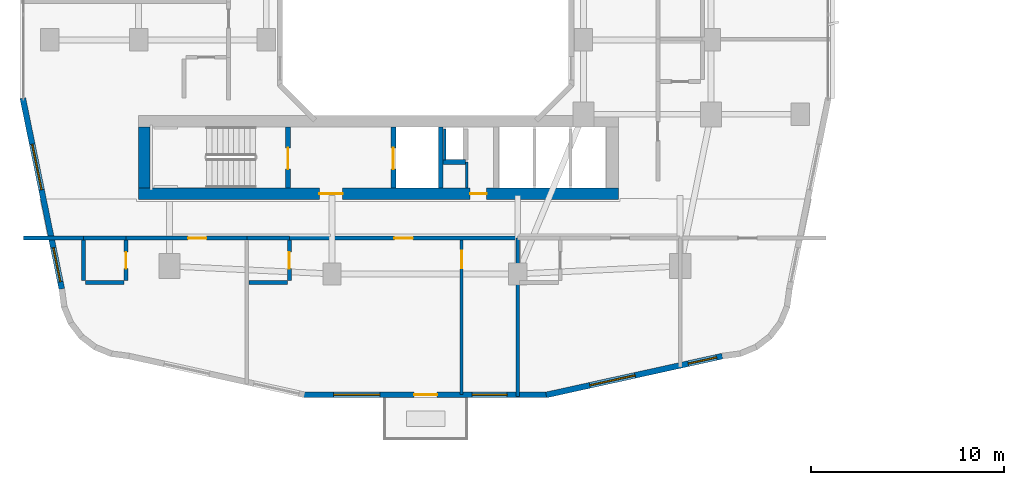
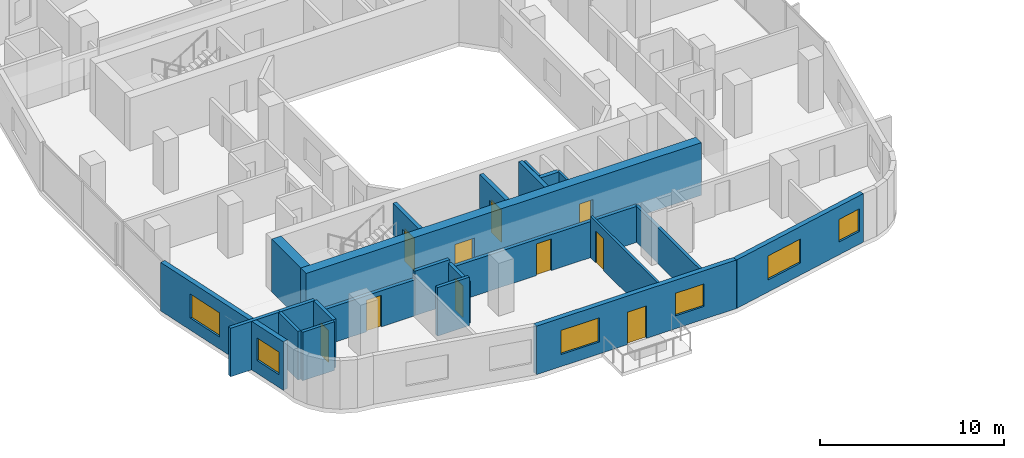
# One storey, part 8 of 22: 23 walls, 10 doors, 6 windows, 16 openings.
"""IFC4 building model written with IfcOpenShell, lengths in metres."""

from ifc_helpers import new_model, si_unit, derived_unit, direction, frame, frame_2d, origin, place, context, subcontext, project, spatial, rectangle, extrude, material, layer, layer_set, type_object, element, fill, save


model = new_model("IFC4")

# Units and contexts
model_context = context("Model", 3, precision=1e-05, world=origin(), true_north=direction((0.0, 1.0)))
body_context = subcontext(model_context, "Body", "Model", "MODEL_VIEW")
ifc_project = project(units=[si_unit("LENGTHUNIT", "METRE"), si_unit("AREAUNIT", "SQUARE_METRE"), si_unit("VOLUMEUNIT", "CUBIC_METRE"), si_unit("PLANEANGLEUNIT", "RADIAN"), si_unit("MASSUNIT", "GRAM", prefix="KILO"), derived_unit("THERMALTRANSMITTANCEUNIT", [(si_unit("POWERUNIT", "WATT"), 1), (si_unit("LENGTHUNIT", "METRE"), -2), (si_unit("THERMODYNAMICTEMPERATUREUNIT", "KELVIN"), -1)])], contexts=[model_context])

# Site, building, storey
site_placement = place(None, origin())
site = spatial("IfcSite", under=ifc_project, at=site_placement, CompositionType="ELEMENT")
building_placement = place(site_placement, origin())
building = spatial("IfcBuilding", under=site, at=building_placement, Name="Kivonza Crest Hotel", CompositionType="ELEMENT")
storey_placement = place(building_placement, frame((0.0, 0.0, 48.5)))
storey = spatial("IfcBuildingStorey", under=building, at=storey_placement, Name="L12", CompositionType="ELEMENT", Elevation=48.5)

# Walls
ifc_material_1 = material(Name="High-density acoustic masonry inter-tenancy wall", Category="masonry")
ifc_layer_1 = layer(ifc_material_1, 0.179931640625)
ifc_layer_set_1 = layer_set([ifc_layer_1], Name="High-density acoustic masonry inter-tenancy wall")
wall_type_1 = type_object("IfcWallType", Name="WL-ACOU-180", PredefinedType="SOLIDWALL", material=ifc_layer_set_1)
wall_1_placement = place(storey_placement, frame((25.800048828125, 3.06005859375, 0.0), z_axis=(0.0, 0.0, 1.0), x_axis=(0.0, 1.0, 0.0)))
element("IfcWall", 1, at=wall_1_placement, inside=storey, type_object=wall_type_1, Name="L12 interior partition WA-L12-T1S-DIV2", PredefinedType="SOLIDWALL", context=body_context, shape_type="SweptSolid", body=[
    extrude(rectangle(XDim=8.18994140625, YDim=0.179931640625, at=frame_2d((4.094970703125, 0.0))), origin(), (0.0, 0.0, 1.0), 2.39501953125),
])
ifc_material_2 = material(Name="Autoclaved aerated concrete blockwork", Category="masonry")
ifc_layer_2 = layer(ifc_material_2, 0.219970703125)
ifc_layer_set_2 = layer_set([ifc_layer_2], Name="Autoclaved aerated concrete blockwork")
wall_type_2 = type_object("IfcWallType", Name="WL-ACOU-220", PredefinedType="SOLIDWALL", material=ifc_layer_set_2)
wall_2_placement = place(storey_placement, frame((0.239990234375, 11.25, 0.0), z_axis=(0.0, 0.0, 1.0), x_axis=(1.0, 0.0, 0.0)))
element("IfcWall", 2, at=wall_2_placement, inside=storey, type_object=wall_type_2, Name="L12 interior partition WA-L12-S04-XCORR", PredefinedType="SOLIDWALL", context=body_context, shape_type="SweptSolid", body=[
    extrude(rectangle(XDim=3.110107421875, YDim=0.219970703125, at=frame_2d((1.55517578125, 0.0))), origin(), (0.0, 0.0, 1.0), 3.219970703125),
])
wall_3_placement = place(storey_placement, frame((3.35009765625, 11.25, 0.0), z_axis=(0.0, 0.0, 1.0), x_axis=(1.0, 0.0, 0.0)))
element("IfcWall", 3, at=wall_3_placement, inside=storey, type_object=wall_type_2, Name="L12 interior partition WA-L12-S04-BCORR", PredefinedType="SOLIDWALL", context=body_context, shape_type="SweptSolid", body=[
    extrude(rectangle(XDim=2.199951171875, YDim=0.219970703125, at=frame_2d((1.10009765625, 0.0))), origin(), (0.0, 0.0, 1.0), 3.219970703125),
])

# Wall, opening, door
wall_4_placement = place(storey_placement, frame((5.550048828125, 11.25, 0.0), z_axis=(0.0, 0.0, 1.0), x_axis=(1.0, 0.0, 0.0)))
wall_4 = element("IfcWall", 4, at=wall_4_placement, inside=storey, type_object=wall_type_2, Name="L12 interior partition WA-L12-S04-MCORR", PredefinedType="SOLIDWALL", context=body_context, shape_type="SweptSolid", body=[
    extrude(rectangle(XDim=6.25, YDim=0.219970703125, at=frame_2d((3.125, 0.0))), origin(), (0.0, 0.0, 1.0), 2.39501953125),
])
opening_1_placement = place(wall_4_placement, frame((3.2099609375, 0.0, 0.0)))
opening_1 = element("IfcOpeningElement", 5, at=opening_1_placement, cuts=wall_4, Name="Opening DU-60", PredefinedType="OPENING", context=body_context, shape_type="SweptSolid", body=[
    extrude(rectangle(XDim=0.949951171875, YDim=2.10009765625, at=frame_2d((0.47509765625, 1.050048828125))), frame((0.0, 0.1201171875, 0.0), z_axis=(0.0, -1.0, 0.0), x_axis=(1.0, 0.0, 0.0)), (0.0, 0.0, 1.0), 0.239990234375),
])
ifc_material_3 = material(Name="Hardwood timber oak", Category="wood")
door_type_1 = type_object("IfcDoorType", Name="DR-UNIT-950", OperationType="NOTDEFINED", PredefinedType="DOOR", material=ifc_material_3)
door_1_placement = place(opening_1_placement, frame((0.949951171875, 0.0, 0.0), z_axis=(0.0, 0.0, 1.0), x_axis=(-1.0, 0.0, 0.0)))
door_1 = element("IfcDoor", 6, at=door_1_placement, inside=storey, type_object=door_type_1, Name="L12 S04 guest unit entrance fire door", OperationType="SINGLE_SWING_RIGHT", OverallHeight=2.10009765625, OverallWidth=0.949951171875, PredefinedType="DOOR", context=body_context, shape_type="SweptSolid", body=[
    extrude(rectangle(XDim=0.949951171875, YDim=2.10009765625, at=frame_2d((0.47509765625, 1.050048828125))), frame((0.0, 0.02490234375, 0.0), z_axis=(0.0, -1.0, 0.0), x_axis=(1.0, 0.0, 0.0)), (0.0, 0.0, 1.0), 0.050048828125),
])
fill(opening_1, door_1)

# Wall
wall_5_placement = place(storey_placement, frame((11.800048828125, 11.25, 0.0), z_axis=(0.0, 0.0, 1.0), x_axis=(1.0, 0.0, 0.0)))
element("IfcWall", 7, at=wall_5_placement, inside=storey, type_object=wall_type_2, Name="L12 interior partition WA-L12-S05-BCORR", PredefinedType="SOLIDWALL", context=body_context, shape_type="SweptSolid", body=[
    extrude(rectangle(XDim=2.199951171875, YDim=0.219970703125, at=frame_2d((1.10009765625, 0.0))), origin(), (0.0, 0.0, 1.0), 2.955078125),
])

# Wall, opening, door
wall_6_placement = place(storey_placement, frame((14.0, 11.25, 0.0), z_axis=(0.0, 0.0, 1.0), x_axis=(1.0, 0.0, 0.0)))
wall_6 = element("IfcWall", 8, at=wall_6_placement, inside=storey, type_object=wall_type_2, Name="L12 interior partition WA-L12-S05-MCORR", PredefinedType="SOLIDWALL", context=body_context, shape_type="SweptSolid", body=[
    extrude(rectangle(XDim=11.800048828125, YDim=0.219970703125, at=frame_2d((5.89990234375, 0.0))), origin(), (0.0, 0.0, 1.0), 2.39501953125),
])
opening_2_placement = place(wall_6_placement, frame((5.425048828125, 0.0, 0.0)))
opening_2 = element("IfcOpeningElement", 9, at=opening_2_placement, cuts=wall_6, Name="Opening DU-60", PredefinedType="OPENING", context=body_context, shape_type="SweptSolid", body=[
    extrude(rectangle(XDim=0.949951171875, YDim=2.10009765625, at=frame_2d((0.47509765625, 1.050048828125))), frame((0.0, 0.1201171875, 0.0), z_axis=(0.0, -1.0, 0.0), x_axis=(1.0, 0.0, 0.0)), (0.0, 0.0, 1.0), 0.239990234375),
])
door_2_placement = place(opening_2_placement, frame((0.949951171875, 0.0, 0.0), z_axis=(0.0, 0.0, 1.0), x_axis=(-1.0, 0.0, 0.0)))
door_2 = element("IfcDoor", 10, at=door_2_placement, inside=storey, type_object=door_type_1, Name="L12 S05 guest unit entrance fire door", OperationType="SINGLE_SWING_LEFT", OverallHeight=2.10009765625, OverallWidth=0.949951171875, PredefinedType="DOOR", context=body_context, shape_type="SweptSolid", body=[
    extrude(rectangle(XDim=0.949951171875, YDim=2.10009765625, at=frame_2d((0.47509765625, 1.050048828125))), frame((0.0, 0.02490234375, 0.0), z_axis=(0.0, -1.0, 0.0), x_axis=(1.0, 0.0, 0.0)), (0.0, 0.0, 1.0), 0.050048828125),
])
fill(opening_2, door_2)

# Wall, openings, doors
ifc_material_4 = material(Name="Concrete C60/75", Category="concrete")
ifc_layer_3 = layer(ifc_material_4, 0.60009765625)
ifc_layer_set_3 = layer_set([ifc_layer_3], Name="Concrete C60/75")
wall_type_3 = type_object("IfcWallType", Name="WL-CORE-600", PredefinedType="SHEAR", material=ifc_layer_set_3)
wall_7_placement = place(storey_placement, frame((6.199951171875, 13.5400390625, 0.0), z_axis=(0.0, 0.0, 1.0), x_axis=(1.0, 0.0, 0.0)))
wall_7 = element("IfcWall", 11, at=wall_7_placement, inside=storey, type_object=wall_type_3, Name="Core wall T1-S South L12", PredefinedType="SHEAR", context=body_context, shape_type="SweptSolid", body=[
    extrude(rectangle(XDim=24.800048828125, YDim=0.60009765625, at=frame_2d((12.39990234375, 0.0))), origin(), (0.0, 0.0, 1.0), 3.5),
])
opening_3_placement = place(wall_7_placement, frame((9.35009765625, 0.0, 0.0)))
opening_3 = element("IfcOpeningElement", 12, at=opening_3_placement, cuts=wall_7, Name="Opening DF-60", PredefinedType="OPENING", context=body_context, shape_type="SweptSolid", body=[
    extrude(rectangle(XDim=1.199951171875, YDim=2.14990234375, at=frame_2d((0.60009765625, 1.074951171875))), frame((0.0, 0.31005859375, 0.0), z_axis=(0.0, -1.0, 0.0), x_axis=(1.0, 0.0, 0.0)), (0.0, 0.0, 1.0), 0.6201171875),
])
opening_4_placement = place(wall_7_placement, frame((17.139892578125, 0.0, 0.0)))
opening_4 = element("IfcOpeningElement", 13, at=opening_4_placement, cuts=wall_7, Name="Opening DF-60R", PredefinedType="OPENING", context=body_context, shape_type="SweptSolid", body=[
    extrude(rectangle(XDim=0.85009765625, YDim=2.10009765625, at=frame_2d((0.425048828125, 1.050048828125))), frame((0.0, 0.31005859375, 0.0), z_axis=(0.0, -1.0, 0.0), x_axis=(1.0, 0.0, 0.0)), (0.0, 0.0, 1.0), 0.6201171875),
])
door_type_2 = type_object("IfcDoorType", Name="DR-FD60-1200", OperationType="NOTDEFINED", PredefinedType="DOOR", material=ifc_material_3)
door_3_placement = place(opening_3_placement, frame((1.199951171875, 0.0, 0.0), z_axis=(0.0, 0.0, 1.0), x_axis=(-1.0, 0.0, 0.0)))
door_3 = element("IfcDoor", 14, at=door_3_placement, inside=storey, type_object=door_type_2, Name="L12 T1-S firefighting lobby fire door", OperationType="SINGLE_SWING_LEFT", OverallHeight=2.14990234375, OverallWidth=1.199951171875, PredefinedType="DOOR", context=body_context, shape_type="SweptSolid", body=[
    extrude(rectangle(XDim=1.199951171875, YDim=2.14990234375, at=frame_2d((0.60009765625, 1.074951171875))), frame((0.0, 0.02490234375, 0.0), z_axis=(0.0, -1.0, 0.0), x_axis=(1.0, 0.0, 0.0)), (0.0, 0.0, 1.0), 0.050048828125),
])
fill(opening_3, door_3)
door_type_3 = type_object("IfcDoorType", Name="DR-FD60-850", OperationType="NOTDEFINED", PredefinedType="DOOR", material=ifc_material_3)
door_4_placement = place(opening_4_placement, frame((0.85009765625, 0.0, 0.0), z_axis=(0.0, 0.0, 1.0), x_axis=(-1.0, 0.0, 0.0)))
door_4 = element("IfcDoor", 15, at=door_4_placement, inside=storey, type_object=door_type_3, Name="L12 T1-S core room door", OperationType="SINGLE_SWING_RIGHT", OverallHeight=2.10009765625, OverallWidth=0.85009765625, PredefinedType="DOOR", context=body_context, shape_type="SweptSolid", body=[
    extrude(rectangle(XDim=0.85009765625, YDim=2.10009765625, at=frame_2d((0.425048828125, 1.050048828125))), frame((0.0, 0.02490234375, 0.0), z_axis=(0.0, -1.0, 0.0), x_axis=(1.0, 0.0, 0.0)), (0.0, 0.0, 1.0), 0.050048828125),
])
fill(opening_4, door_4)

# Wall
wall_8_placement = place(storey_placement, frame((6.5, 13.840087890625, 0.0), z_axis=(0.0, 0.0, 1.0), x_axis=(0.0, 1.0, 0.0)))
element("IfcWall", 16, at=wall_8_placement, inside=storey, type_object=wall_type_3, Name="Core wall T1-S West L12", PredefinedType="SHEAR", context=body_context, shape_type="SweptSolid", body=[
    extrude(rectangle(XDim=3.159912109375, YDim=0.60009765625, at=frame_2d((1.580078125, 0.0))), origin(), (0.0, 0.0, 1.0), 3.5),
])

# Wall, openings, door, windows
ifc_material_5 = material(Name="Precast concrete C40/50", Category="concrete")
ifc_layer_4 = layer(ifc_material_5, 0.300048828125)
ifc_layer_set_4 = layer_set([ifc_layer_4], Name="Precast concrete C40/50")
wall_type_4 = type_object("IfcWallType", Name="WL-EXT-300", PredefinedType="STANDARD", material=ifc_layer_set_4)
wall_9_placement = place(storey_placement, frame((14.72705078125, 3.14990234375, 0.0), z_axis=(0.0, 0.0, 1.0), x_axis=(1.0, 0.0, 0.0)))
wall_9 = element("IfcWall", 17, at=wall_9_placement, inside=storey, type_object=wall_type_4, Name="L12 T1 exterior insulated wall 8", PredefinedType="STANDARD", context=body_context, shape_type="SweptSolid", body=[
    extrude(rectangle(XDim=12.591064453125, YDim=0.300048828125, at=frame_2d((6.29541015625, 0.0))), origin(), (0.0, 0.0, 1.0), 3.219970703125),
])
opening_5_placement = place(wall_9_placement, frame((5.712890625, 0.0, 0.0)))
opening_5 = element("IfcOpeningElement", 18, at=opening_5_placement, cuts=wall_9, Name="Opening DT-120", PredefinedType="OPENING", context=body_context, shape_type="SweptSolid", body=[
    extrude(rectangle(XDim=1.199951171875, YDim=2.14990234375, at=frame_2d((0.60009765625, 1.074951171875))), frame((0.0, 0.16015625, 0.0), z_axis=(0.0, -1.0, 0.0), x_axis=(1.0, 0.0, 0.0)), (0.0, 0.0, 1.0), 0.320068359375),
])
opening_6_placement = place(wall_9_placement, frame((1.552001953125, 0.0, 0.800048828125)))
opening_6 = element("IfcOpeningElement", 19, at=opening_6_placement, cuts=wall_9, Name="Opening WN-05", PredefinedType="OPENING", context=body_context, shape_type="SweptSolid", body=[
    extrude(rectangle(XDim=2.39990234375, YDim=1.60009765625, at=frame_2d((1.199951171875, 0.800048828125))), frame((0.0, 0.16015625, 0.0), z_axis=(0.0, -1.0, 0.0), x_axis=(1.0, 0.0, 0.0)), (0.0, 0.0, 1.0), 0.320068359375),
])
opening_7_placement = place(wall_9_placement, frame((8.722900390625, 0.0, 0.85009765625)))
opening_7 = element("IfcOpeningElement", 20, at=opening_7_placement, cuts=wall_9, Name="Opening WN-03", PredefinedType="OPENING", context=body_context, shape_type="SweptSolid", body=[
    extrude(rectangle(XDim=1.800048828125, YDim=1.5, at=frame_2d((0.89990234375, 0.75))), frame((0.0, 0.16015625, 0.0), z_axis=(0.0, -1.0, 0.0), x_axis=(1.0, 0.0, 0.0)), (0.0, 0.0, 1.0), 0.320068359375),
])
ifc_material_6 = material(Name="Anodised bronze aluminium and laminated safety glass", Category="aluminium")
door_type_4 = type_object("IfcDoorType", Name="DR-TERR-1200", OperationType="NOTDEFINED", PredefinedType="DOOR", material=ifc_material_6)
door_5_placement = place(opening_5_placement, frame((1.199951171875, 0.0, 0.0), z_axis=(0.0, 0.0, 1.0), x_axis=(-1.0, 0.0, 0.0)))
door_5 = element("IfcDoor", 21, at=door_5_placement, inside=storey, type_object=door_type_4, Name="T1 L12 SW sky-garden bridge access door", OperationType="SINGLE_SWING_LEFT", OverallHeight=2.14990234375, OverallWidth=1.199951171875, PredefinedType="DOOR", context=body_context, shape_type="SweptSolid", body=[
    extrude(rectangle(XDim=1.199951171875, YDim=2.14990234375, at=frame_2d((0.60009765625, 1.074951171875))), frame((0.0, 0.02490234375, 0.0), z_axis=(0.0, -1.0, 0.0), x_axis=(1.0, 0.0, 0.0)), (0.0, 0.0, 1.0), 0.050048828125),
])
fill(opening_5, door_5)
ifc_material_7 = material(Name="Thermally broken bronze aluminium and low-E double glazing", Category="aluminium")
window_type_1 = type_object("IfcWindowType", Name="WN-180x150", PartitioningType="DOUBLE_PANEL_VERTICAL", PredefinedType="WINDOW", material=ifc_material_7)
window_1_placement = place(opening_7_placement, origin())
window_1 = element("IfcWindow", 22, at=window_1_placement, inside=storey, type_object=window_type_1, Name="L12 T1 facade window 8 bay 2", OverallHeight=1.5, OverallWidth=1.800048828125, PartitioningType="SINGLE_PANEL", PredefinedType="WINDOW", context=body_context, shape_type="SweptSolid", body=[
    extrude(rectangle(XDim=1.800048828125, YDim=1.5, at=frame_2d((0.89990234375, 0.75))), frame((0.0, 0.030029296875, 0.0), z_axis=(0.0, -1.0, 0.0), x_axis=(1.0, 0.0, 0.0)), (0.0, 0.0, 1.0), 0.06005859375),
])
fill(opening_7, window_1)
window_type_2 = type_object("IfcWindowType", Name="WN-240x160", PartitioningType="TRIPLE_PANEL_VERTICAL", PredefinedType="WINDOW", material=ifc_material_7)
window_2_placement = place(opening_6_placement, origin())
window_2 = element("IfcWindow", 23, at=window_2_placement, inside=storey, type_object=window_type_2, Name="L12 T1 facade window 8 bay 1", OverallHeight=1.60009765625, OverallWidth=2.39990234375, PartitioningType="SINGLE_PANEL", PredefinedType="WINDOW", context=body_context, shape_type="SweptSolid", body=[
    extrude(rectangle(XDim=2.39990234375, YDim=1.60009765625, at=frame_2d((1.199951171875, 0.800048828125))), frame((0.0, 0.030029296875, 0.0), z_axis=(0.0, -1.0, 0.0), x_axis=(1.0, 0.0, 0.0)), (0.0, 0.0, 1.0), 0.06005859375),
])
fill(opening_6, window_2)

# Wall, openings, windows
wall_10_placement = place(storey_placement, frame((27.27197265625, 3.14111328125, 0.0), z_axis=(0.0, 0.0, 1.0), x_axis=(0.976555357219, 0.21526642629, 0.0)))
wall_10 = element("IfcWall", 24, at=wall_10_placement, inside=storey, type_object=wall_type_4, Name="L12 T1 exterior insulated wall 9", PredefinedType="STANDARD", context=body_context, shape_type="SweptSolid", body=[
    extrude(rectangle(XDim=9.322509765625, YDim=0.300048828125, at=frame_2d((4.6611328125, 0.0))), origin(), (0.0, 0.0, 1.0), 3.219970703125),
])
opening_8_placement = place(wall_10_placement, frame((2.306884765625, 0.0, 0.800048828125)))
opening_8 = element("IfcOpeningElement", 25, at=opening_8_placement, cuts=wall_10, Name="Opening WN-05", PredefinedType="OPENING", context=body_context, shape_type="SweptSolid", body=[
    extrude(rectangle(XDim=2.39990234375, YDim=1.60009765625, at=frame_2d((1.199951171875, 0.800048828125))), frame((0.0, 0.16015625, 0.0), z_axis=(0.0, -1.0, 0.0), x_axis=(1.0, 0.0, 0.0)), (0.0, 0.0, 1.0), 0.320068359375),
])
opening_9_placement = place(wall_10_placement, frame((7.52392578125, 0.0, 0.85009765625)))
opening_9 = element("IfcOpeningElement", 26, at=opening_9_placement, cuts=wall_10, Name="Opening WN-02", PredefinedType="OPENING", context=body_context, shape_type="SweptSolid", body=[
    extrude(rectangle(XDim=1.5, YDim=1.5, at=frame_2d((0.75, 0.75))), frame((0.0, 0.16015625, 0.0), z_axis=(0.0, -1.0, 0.0), x_axis=(1.0, 0.0, 0.0)), (0.0, 0.0, 1.0), 0.320068359375),
])
window_type_3 = type_object("IfcWindowType", Name="WN-150x150", PartitioningType="DOUBLE_PANEL_VERTICAL", PredefinedType="WINDOW", material=ifc_material_7)
window_3_placement = place(opening_9_placement, origin())
window_3 = element("IfcWindow", 27, at=window_3_placement, inside=storey, type_object=window_type_3, Name="L12 T1 facade window 9 bay 2", OverallHeight=1.5, OverallWidth=1.5, PartitioningType="SINGLE_PANEL", PredefinedType="WINDOW", context=body_context, shape_type="SweptSolid", body=[
    extrude(rectangle(XDim=1.5, YDim=1.5, at=frame_2d((0.75, 0.75))), frame((0.0, 0.030029296875, 0.0), z_axis=(0.0, -1.0, 0.0), x_axis=(1.0, 0.0, 0.0)), (0.0, 0.0, 1.0), 0.06005859375),
])
fill(opening_9, window_3)
window_4_placement = place(opening_8_placement, origin())
window_4 = element("IfcWindow", 28, at=window_4_placement, inside=storey, type_object=window_type_2, Name="L12 T1 facade window 9 bay 1", OverallHeight=1.60009765625, OverallWidth=2.39990234375, PartitioningType="SINGLE_PANEL", PredefinedType="WINDOW", context=body_context, shape_type="SweptSolid", body=[
    extrude(rectangle(XDim=2.39990234375, YDim=1.60009765625, at=frame_2d((1.199951171875, 0.800048828125))), frame((0.0, 0.030029296875, 0.0), z_axis=(0.0, -1.0, 0.0), x_axis=(1.0, 0.0, 0.0)), (0.0, 0.0, 1.0), 0.06005859375),
])
fill(opening_8, window_4)

wall_11_placement = place(storey_placement, frame((0.216064453125, 18.48388671875, 0.0), z_axis=(0.0, 0.0, 1.0), x_axis=(0.199990901713, -0.979797754249, 0.0)))
wall_11 = element("IfcWall", 29, at=wall_11_placement, inside=storey, type_object=wall_type_4, Name="L12 T1 exterior insulated wall 36", PredefinedType="STANDARD", context=body_context, shape_type="SweptSolid", body=[
    extrude(rectangle(XDim=10.065185546875, YDim=0.300048828125, at=frame_2d((5.03271484375, 0.0))), origin(), (0.0, 0.0, 1.0), 3.219970703125),
])
opening_10_placement = place(wall_11_placement, frame((2.428955078125, 0.0, 0.800048828125)))
opening_10 = element("IfcOpeningElement", 30, at=opening_10_placement, cuts=wall_11, Name="Opening WN-05", PredefinedType="OPENING", context=body_context, shape_type="SweptSolid", body=[
    extrude(rectangle(XDim=2.39990234375, YDim=1.60009765625, at=frame_2d((1.199951171875, 0.800048828125))), frame((0.0, 0.16015625, 0.0), z_axis=(0.0, -1.0, 0.0), x_axis=(1.0, 0.0, 0.0)), (0.0, 0.0, 1.0), 0.320068359375),
])
opening_11_placement = place(wall_11_placement, frame((7.886962890625, 0.0, 0.85009765625)))
opening_11 = element("IfcOpeningElement", 31, at=opening_11_placement, cuts=wall_11, Name="Opening WN-03", PredefinedType="OPENING", context=body_context, shape_type="SweptSolid", body=[
    extrude(rectangle(XDim=1.800048828125, YDim=1.5, at=frame_2d((0.89990234375, 0.75))), frame((0.0, 0.16015625, 0.0), z_axis=(0.0, -1.0, 0.0), x_axis=(1.0, 0.0, 0.0)), (0.0, 0.0, 1.0), 0.320068359375),
])
window_5_placement = place(opening_11_placement, origin())
window_5 = element("IfcWindow", 32, at=window_5_placement, inside=storey, type_object=window_type_1, Name="L12 T1 facade window 36 bay 2", OverallHeight=1.5, OverallWidth=1.800048828125, PartitioningType="SINGLE_PANEL", PredefinedType="WINDOW", context=body_context, shape_type="SweptSolid", body=[
    extrude(rectangle(XDim=1.800048828125, YDim=1.5, at=frame_2d((0.89990234375, 0.75))), frame((0.0, 0.030029296875, 0.0), z_axis=(0.0, -1.0, 0.0), x_axis=(1.0, 0.0, 0.0)), (0.0, 0.0, 1.0), 0.06005859375),
])
fill(opening_11, window_5)
window_6_placement = place(opening_10_placement, origin())
window_6 = element("IfcWindow", 33, at=window_6_placement, inside=storey, type_object=window_type_2, Name="L12 T1 facade window 36 bay 1", OverallHeight=1.60009765625, OverallWidth=2.39990234375, PartitioningType="SINGLE_PANEL", PredefinedType="WINDOW", context=body_context, shape_type="SweptSolid", body=[
    extrude(rectangle(XDim=2.39990234375, YDim=1.60009765625, at=frame_2d((1.199951171875, 0.800048828125))), frame((0.0, 0.030029296875, 0.0), z_axis=(0.0, -1.0, 0.0), x_axis=(1.0, 0.0, 0.0)), (0.0, 0.0, 1.0), 0.06005859375),
])
fill(opening_10, window_6)

# Walls
ifc_material_8 = material(Name="Concrete blockwork fire-compartment wall", Category="masonry")
ifc_layer_5 = layer(ifc_material_8, 0.25)
ifc_layer_set_5 = layer_set([ifc_layer_5], Name="Concrete blockwork fire-compartment wall")
wall_type_5 = type_object("IfcWallType", Name="WL-FIRE-250", PredefinedType="SOLIDWALL", material=ifc_layer_set_5)
wall_12_placement = place(storey_placement, frame((21.949951171875, 15.179931640625, 0.0), z_axis=(0.0, 0.0, 1.0), x_axis=(1.0, 0.0, 0.0)))
element("IfcWall", 34, at=wall_12_placement, inside=storey, type_object=wall_type_5, Name="L12 interior partition WA-L12-T1-S-MEPR-H", PredefinedType="SOLIDWALL", context=body_context, shape_type="SweptSolid", body=[
    extrude(rectangle(XDim=1.150146484375, YDim=0.25, at=frame_2d((0.5751953125, 0.0))), origin(), (0.0, 0.0, 1.0), 3.219970703125),
])
ifc_material_9 = material(Name="Metal-stud gypsum board partition", Category="gypsum")
ifc_layer_6 = layer(ifc_material_9, 0.125)
ifc_layer_set_6 = layer_set([ifc_layer_6], Name="Metal-stud gypsum board partition")
wall_type_6 = type_object("IfcWallType", Name="WL-PART-125", PredefinedType="PARTITIONING", material=ifc_layer_set_6)
wall_13_placement = place(storey_placement, frame((23.159912109375, 13.840087890625, 0.0), z_axis=(0.0, 0.0, 1.0), x_axis=(0.0, 1.0, 0.0)))
element("IfcWall", 35, at=wall_13_placement, inside=storey, type_object=wall_type_6, Name="L12 interior partition WP-L12-T1-S-SV1V", PredefinedType="PARTITIONING", context=body_context, shape_type="SweptSolid", body=[
    extrude(rectangle(XDim=1.33984375, YDim=0.125, at=frame_2d((0.669921875, 0.0))), origin(), (0.0, 0.0, 1.0), 3.219970703125),
])
ifc_material_10 = material(Name="Twin-stud acoustic gypsum board partition", Category="gypsum")
ifc_layer_7 = layer(ifc_material_10, 0.14990234375)
ifc_layer_set_7 = layer_set([ifc_layer_7], Name="Twin-stud acoustic gypsum board partition")
wall_type_7 = type_object("IfcWallType", Name="WL-PART-150", PredefinedType="PARTITIONING", material=ifc_layer_set_7)
wall_14_placement = place(storey_placement, frame((22.030029296875, 15.280029296875, 0.0), z_axis=(0.0, 0.0, 1.0), x_axis=(0.0, 1.0, 0.0)))
element("IfcWall", 36, at=wall_14_placement, inside=storey, type_object=wall_type_7, Name="L12 interior partition WA-L12-T1-S-MEPR-W", PredefinedType="PARTITIONING", context=body_context, shape_type="SweptSolid", body=[
    extrude(rectangle(XDim=1.619873046875, YDim=0.14990234375, at=frame_2d((0.81005859375, 0.0))), origin(), (0.0, 0.0, 1.0), 3.219970703125),
])

# Wall, opening, door
wall_15_placement = place(storey_placement, frame((22.89990234375, 3.159912109375, 0.0), z_axis=(0.0, 0.0, 1.0), x_axis=(0.0, 1.0, 0.0)))
wall_15 = element("IfcWall", 37, at=wall_15_placement, inside=storey, type_object=wall_type_7, Name="L12 interior partition WP-L12-S05-SPSP", PredefinedType="PARTITIONING", context=body_context, shape_type="SweptSolid", body=[
    extrude(rectangle(XDim=7.989990234375, YDim=0.14990234375, at=frame_2d((3.9951171875, 0.0))), origin(), (0.0, 0.0, 1.0), 2.7451171875),
])
opening_12_placement = place(wall_15_placement, frame((6.5400390625, 0.0, 0.0)))
opening_12 = element("IfcOpeningElement", 38, at=opening_12_placement, cuts=wall_15, Name="Opening DI-90", PredefinedType="OPENING", context=body_context, shape_type="SweptSolid", body=[
    extrude(rectangle(XDim=0.89990234375, YDim=2.10009765625, at=frame_2d((0.449951171875, 1.050048828125))), frame((0.0, 0.0849609375, 0.0), z_axis=(0.0, -1.0, 0.0), x_axis=(1.0, 0.0, 0.0)), (0.0, 0.0, 1.0), 0.169921875),
])
door_type_5 = type_object("IfcDoorType", Name="DR-INT-900", OperationType="NOTDEFINED", PredefinedType="DOOR", material=ifc_material_3)
door_6_placement = place(opening_12_placement, origin())
door_6 = element("IfcDoor", 39, at=door_6_placement, inside=storey, type_object=door_type_5, Name="L12 S05 suite bedroom door", OperationType="SINGLE_SWING_RIGHT", OverallHeight=2.10009765625, OverallWidth=0.89990234375, PredefinedType="DOOR", context=body_context, shape_type="SweptSolid", body=[
    extrude(rectangle(XDim=0.89990234375, YDim=2.10009765625, at=frame_2d((0.449951171875, 1.050048828125))), frame((0.0, 0.02490234375, 0.0), z_axis=(0.0, -1.0, 0.0), x_axis=(1.0, 0.0, 0.0)), (0.0, 0.0, 1.0), 0.050048828125),
])
fill(opening_12, door_6)

ifc_material_11 = material(Name="Moisture-resistant plumbing chase partition wall", Category="gypsum")
ifc_layer_8 = layer(ifc_material_11, 0.199951171875)
ifc_layer_set_8 = layer_set([ifc_layer_8], Name="Moisture-resistant plumbing chase partition wall")
wall_type_8 = type_object("IfcWallType", Name="WL-PLUMB-200", PredefinedType="PLUMBINGWALL", material=ifc_layer_set_8)
wall_16_placement = place(storey_placement, frame((5.550048828125, 9.050048828125, 0.0), z_axis=(0.0, 0.0, 1.0), x_axis=(0.0, 1.0, 0.0)))
wall_16 = element("IfcWall", 40, at=wall_16_placement, inside=storey, type_object=wall_type_8, Name="L12 interior partition WW-L12-S04-BV", PredefinedType="PLUMBINGWALL", context=body_context, shape_type="SweptSolid", body=[
    extrude(rectangle(XDim=2.099853515625, YDim=0.199951171875, at=frame_2d((1.0498046875, 0.0))), origin(), (0.0, 0.0, 1.0), 3.219970703125),
])
opening_13_placement = place(wall_16_placement, frame((0.625, 0.0, 0.0)))
opening_13 = element("IfcOpeningElement", 41, at=opening_13_placement, cuts=wall_16, Name="Opening DI-85", PredefinedType="OPENING", context=body_context, shape_type="SweptSolid", body=[
    extrude(rectangle(XDim=0.85009765625, YDim=2.10009765625, at=frame_2d((0.425048828125, 1.050048828125))), frame((0.0, 0.10986328125, 0.0), z_axis=(0.0, -1.0, 0.0), x_axis=(1.0, 0.0, 0.0)), (0.0, 0.0, 1.0), 0.219970703125),
])
door_type_6 = type_object("IfcDoorType", Name="DR-INT-850", OperationType="NOTDEFINED", PredefinedType="DOOR", material=ifc_material_3)
door_7_placement = place(opening_13_placement, frame((0.85009765625, 0.0, 0.0), z_axis=(0.0, 0.0, 1.0), x_axis=(-1.0, 0.0, 0.0)))
door_7 = element("IfcDoor", 42, at=door_7_placement, inside=storey, type_object=door_type_6, Name="L12 S04 en-suite bathroom door", OperationType="SINGLE_SWING_LEFT", OverallHeight=2.10009765625, OverallWidth=0.85009765625, PredefinedType="DOOR", context=body_context, shape_type="SweptSolid", body=[
    extrude(rectangle(XDim=0.85009765625, YDim=2.10009765625, at=frame_2d((0.425048828125, 1.050048828125))), frame((0.0, 0.02490234375, 0.0), z_axis=(0.0, -1.0, 0.0), x_axis=(1.0, 0.0, 0.0)), (0.0, 0.0, 1.0), 0.050048828125),
])
fill(opening_13, door_7)

# Walls
wall_17_placement = place(storey_placement, frame((3.449951171875, 8.949951171875, 0.0), z_axis=(0.0, 0.0, 1.0), x_axis=(1.0, 0.0, 0.0)))
element("IfcWall", 43, at=wall_17_placement, inside=storey, type_object=wall_type_8, Name="L12 interior partition WW-L12-S04-BH", PredefinedType="PLUMBINGWALL", context=body_context, shape_type="SweptSolid", body=[
    extrude(rectangle(XDim=2.0, YDim=0.199951171875, at=frame_2d((1.0, 0.0))), origin(), (0.0, 0.0, 1.0), 3.219970703125),
])
wall_18_placement = place(storey_placement, frame((3.35009765625, 9.050048828125, 0.0), z_axis=(0.0, 0.0, 1.0), x_axis=(0.0, 1.0, 0.0)))
element("IfcWall", 44, at=wall_18_placement, inside=storey, type_object=wall_type_8, Name="L12 interior partition WW-L12-S04-BVW", PredefinedType="PLUMBINGWALL", context=body_context, shape_type="SweptSolid", body=[
    extrude(rectangle(XDim=2.099853515625, YDim=0.199951171875, at=frame_2d((1.0498046875, 0.0))), origin(), (0.0, 0.0, 1.0), 3.219970703125),
])

# Wall, opening, door
wall_19_placement = place(storey_placement, frame((14.0, 9.050048828125, 0.0), z_axis=(0.0, 0.0, 1.0), x_axis=(0.0, 1.0, 0.0)))
wall_19 = element("IfcWall", 45, at=wall_19_placement, inside=storey, type_object=wall_type_8, Name="L12 interior partition WW-L12-S05-BV", PredefinedType="PLUMBINGWALL", context=body_context, shape_type="SweptSolid", body=[
    extrude(rectangle(XDim=2.099853515625, YDim=0.199951171875, at=frame_2d((1.0498046875, 0.0))), origin(), (0.0, 0.0, 1.0), 2.7451171875),
])
opening_14_placement = place(wall_19_placement, frame((0.625, 0.0, 0.0)))
opening_14 = element("IfcOpeningElement", 46, at=opening_14_placement, cuts=wall_19, Name="Opening DI-85", PredefinedType="OPENING", context=body_context, shape_type="SweptSolid", body=[
    extrude(rectangle(XDim=0.85009765625, YDim=2.10009765625, at=frame_2d((0.425048828125, 1.050048828125))), frame((0.0, 0.10986328125, 0.0), z_axis=(0.0, -1.0, 0.0), x_axis=(1.0, 0.0, 0.0)), (0.0, 0.0, 1.0), 0.219970703125),
])
door_8_placement = place(opening_14_placement, frame((0.85009765625, 0.0, 0.0), z_axis=(0.0, 0.0, 1.0), x_axis=(-1.0, 0.0, 0.0)))
door_8 = element("IfcDoor", 47, at=door_8_placement, inside=storey, type_object=door_type_6, Name="L12 S05 en-suite bathroom door", OperationType="SINGLE_SWING_RIGHT", OverallHeight=2.10009765625, OverallWidth=0.85009765625, PredefinedType="DOOR", context=body_context, shape_type="SweptSolid", body=[
    extrude(rectangle(XDim=0.85009765625, YDim=2.10009765625, at=frame_2d((0.425048828125, 1.050048828125))), frame((0.0, 0.02490234375, 0.0), z_axis=(0.0, -1.0, 0.0), x_axis=(1.0, 0.0, 0.0)), (0.0, 0.0, 1.0), 0.050048828125),
])
fill(opening_14, door_8)

# Wall
wall_20_placement = place(storey_placement, frame((11.89990234375, 8.949951171875, 0.0), z_axis=(0.0, 0.0, 1.0), x_axis=(1.0, 0.0, 0.0)))
element("IfcWall", 48, at=wall_20_placement, inside=storey, type_object=wall_type_8, Name="L12 interior partition WW-L12-S05-BH", PredefinedType="PLUMBINGWALL", context=body_context, shape_type="SweptSolid", body=[
    extrude(rectangle(XDim=2.0, YDim=0.199951171875, at=frame_2d((1.0, 0.0))), origin(), (0.0, 0.0, 1.0), 3.219970703125),
])

# Wall, opening, door
ifc_material_12 = material(Name="Concrete C50/60", Category="concrete")
ifc_layer_9 = layer(ifc_material_12, 0.25)
ifc_layer_set_9 = layer_set([ifc_layer_9], Name="Concrete C50/60")
wall_type_9 = type_object("IfcWallType", Name="WL-SHAFT-250", PredefinedType="STANDARD", material=ifc_layer_set_9)
wall_21_placement = place(storey_placement, frame((13.925048828125, 13.840087890625, 0.0), z_axis=(0.0, 0.0, 1.0), x_axis=(0.0, 1.0, 0.0)))
wall_21 = element("IfcWall", 49, at=wall_21_placement, inside=storey, type_object=wall_type_9, Name="Core shaft wall T1-S STAIR L12", PredefinedType="STANDARD", context=body_context, shape_type="SweptSolid", body=[
    extrude(rectangle(XDim=3.159912109375, YDim=0.25, at=frame_2d((1.580078125, 0.0))), origin(), (0.0, 0.0, 1.0), 3.219970703125),
])
opening_15_placement = place(wall_21_placement, frame((0.97998046875, 0.0, 0.0)))
opening_15 = element("IfcOpeningElement", 50, at=opening_15_placement, cuts=wall_21, Name="Opening DF-120", PredefinedType="OPENING", context=body_context, shape_type="SweptSolid", body=[
    extrude(rectangle(XDim=1.10009765625, YDim=2.14990234375, at=frame_2d((0.550048828125, 1.074951171875))), frame((0.0, 0.135009765625, 0.0), z_axis=(0.0, -1.0, 0.0), x_axis=(1.0, 0.0, 0.0)), (0.0, 0.0, 1.0), 0.27001953125),
])
ifc_material_13 = material(Name="Galvanised steel", Category="steel")
door_type_7 = type_object("IfcDoorType", Name="DR-FD120-1100", OperationType="NOTDEFINED", PredefinedType="DOOR", material=ifc_material_13)
door_9_placement = place(opening_15_placement, frame((1.10009765625, 0.0, 0.0), z_axis=(0.0, 0.0, 1.0), x_axis=(-1.0, 0.0, 0.0)))
door_9 = element("IfcDoor", 51, at=door_9_placement, inside=storey, type_object=door_type_7, Name="L12 T1-S stair fire door", OperationType="SINGLE_SWING_RIGHT", OverallHeight=2.14990234375, OverallWidth=1.10009765625, PredefinedType="DOOR", context=body_context, shape_type="SweptSolid", body=[
    extrude(rectangle(XDim=1.10009765625, YDim=2.14990234375, at=frame_2d((0.550048828125, 1.074951171875))), frame((0.0, 0.02490234375, 0.0), z_axis=(0.0, -1.0, 0.0), x_axis=(1.0, 0.0, 0.0)), (0.0, 0.0, 1.0), 0.050048828125),
])
fill(opening_15, door_9)

wall_22_placement = place(storey_placement, frame((19.375, 13.840087890625, 0.0), z_axis=(0.0, 0.0, 1.0), x_axis=(0.0, 1.0, 0.0)))
wall_22 = element("IfcWall", 52, at=wall_22_placement, inside=storey, type_object=wall_type_9, Name="Core shaft wall T1-S FFL-W L12", PredefinedType="STANDARD", context=body_context, shape_type="SweptSolid", body=[
    extrude(rectangle(XDim=3.159912109375, YDim=0.25, at=frame_2d((1.580078125, 0.0))), origin(), (0.0, 0.0, 1.0), 3.219970703125),
])
opening_16_placement = place(wall_22_placement, frame((0.97998046875, 0.0, 0.0)))
opening_16 = element("IfcOpeningElement", 53, at=opening_16_placement, cuts=wall_22, Name="Opening LD-120", PredefinedType="OPENING", context=body_context, shape_type="SweptSolid", body=[
    extrude(rectangle(XDim=1.10009765625, YDim=2.14990234375, at=frame_2d((0.550048828125, 1.074951171875))), frame((0.0, 0.135009765625, 0.0), z_axis=(0.0, -1.0, 0.0), x_axis=(1.0, 0.0, 0.0)), (0.0, 0.0, 1.0), 0.27001953125),
])
ifc_material_14 = material(Name="Stainless steel", Category="steel")
door_type_8 = type_object("IfcDoorType", Name="DR-LD120-1100", OperationType="NOTDEFINED", PredefinedType="DOOR", material=ifc_material_14)
door_10_placement = place(opening_16_placement, origin())
door_10 = element("IfcDoor", 54, at=door_10_placement, inside=storey, type_object=door_type_8, Name="L12 FFL-T1-S firefighting lift sliding landing door", OperationType="DOUBLE_DOOR_SLIDING", OverallHeight=2.14990234375, OverallWidth=1.10009765625, PredefinedType="DOOR", context=body_context, shape_type="SweptSolid", body=[
    extrude(rectangle(XDim=1.10009765625, YDim=2.14990234375, at=frame_2d((0.550048828125, 1.074951171875))), frame((0.0, 0.02490234375, 0.0), z_axis=(0.0, -1.0, 0.0), x_axis=(1.0, 0.0, 0.0)), (0.0, 0.0, 1.0), 0.050048828125),
])
fill(opening_16, door_10)

# Wall
wall_23_placement = place(storey_placement, frame((21.824951171875, 13.840087890625, 0.0), z_axis=(0.0, 0.0, 1.0), x_axis=(0.0, 1.0, 0.0)))
element("IfcWall", 55, at=wall_23_placement, inside=storey, type_object=wall_type_9, Name="Core shaft wall T1-S FFL-E L12", PredefinedType="STANDARD", context=body_context, shape_type="SweptSolid", body=[
    extrude(rectangle(XDim=3.159912109375, YDim=0.25, at=frame_2d((1.580078125, 0.0))), origin(), (0.0, 0.0, 1.0), 3.219970703125),
])

save(model, "model.ifc")
